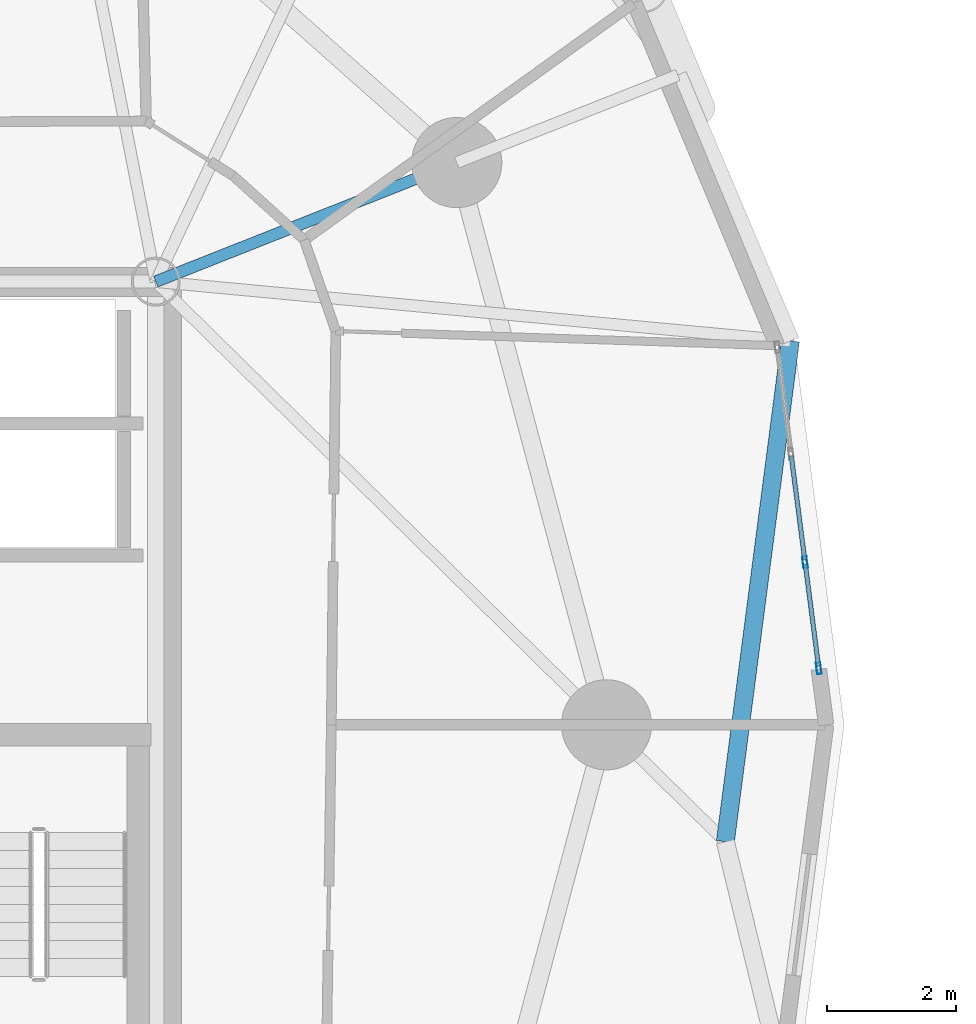
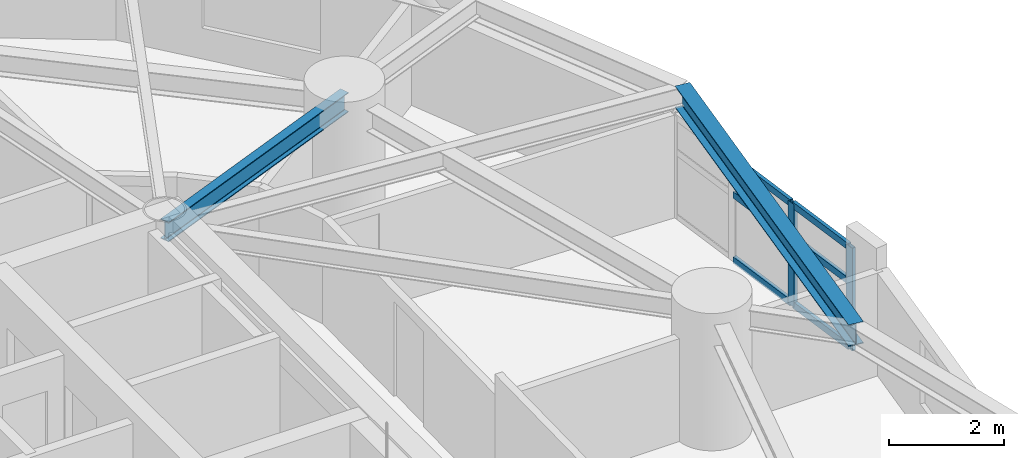
# One storey, part 2 of 17: 8 members, 2 beams, 1 element without a shape of its own.
"""IFC4 building model written with IfcOpenShell, lengths in metres."""

from ifc_helpers import new_model, si_unit, direction, frame, origin, origin_2d, place, context, subcontext, project, spatial, hollow_rectangle, i_section, extrude, material, layer, layer_set, material_profile, profile_set, type_object, element, aggregate, save


model = new_model("IFC4")

# Units and contexts
model_context = context("Model", 3, precision=1e-05, world=origin(), true_north=direction((0.0, 1.0)))
body_context = subcontext(model_context, "Body", "Model", "MODEL_VIEW")
ifc_project = project(units=[si_unit("LENGTHUNIT", "METRE"), si_unit("AREAUNIT", "SQUARE_METRE"), si_unit("VOLUMEUNIT", "CUBIC_METRE"), si_unit("PLANEANGLEUNIT", "RADIAN"), si_unit("MASSUNIT", "GRAM", prefix="KILO")], contexts=[model_context])

# Site, building, storey
site_placement = place(None, origin())
site = spatial("IfcSite", under=ifc_project, at=site_placement, CompositionType="ELEMENT")
building_placement = place(site_placement, origin())
building = spatial("IfcBuilding", under=site, at=building_placement, Name="Cununo Teusaquillo Station Towers", CompositionType="ELEMENT")
storey_placement = place(building_placement, frame((0.0, 0.0, 81.7900390625)))
storey = spatial("IfcBuildingStorey", under=building, at=storey_placement, Name="L25", CompositionType="ELEMENT", Elevation=81.7900390625)

# Beams
ifc_material_1 = material(Name="Steel ASTM A572 Grade 50", Category="steel")
ifc_material_profile_1 = material_profile(ifc_material_1, i_section(OverallWidth=0.180908203125, OverallDepth=0.4169921875, WebThickness=0.010986328125, FlangeThickness=0.018310546875, FilletRadius=0.012939453125, at=origin_2d()), Name="W16X57")
ifc_profile_set_1 = profile_set([ifc_material_profile_1], Name="Steel ASTM A572 Grade 50")
beam_type_1 = type_object("IfcBeamType", Name="BM-RAD-G2", PredefinedType="BEAM", material=ifc_profile_set_1)
beam_1_placement = place(storey_placement, frame((21.675048828125, 31.3798828125, 2.46142578125), z_axis=(0.929864104313, 0.367903176814, 0.0), x_axis=(-0.367903176814, 0.929864104313, 0.0)))
element("IfcBeam", 1, at=beam_1_placement, inside=storey, type_object=beam_type_1, Name="L25 Tower A Radial Girder 02A", PredefinedType="BEAM", context=body_context, shape_type="SweptSolid", body=[
    extrude(i_section(OverallWidth=0.180908203125, OverallDepth=0.4169921875, WebThickness=0.010986328125, FlangeThickness=0.018310546875, FilletRadius=0.012939453125, at=origin_2d()), origin(), (0.0, 0.0, 1.0), 5.02490234375),
])
ifc_material_2 = material(Name="Steel ASTM A572 Grade 50", Category="steel")
ifc_material_profile_2 = material_profile(ifc_material_2, i_section(OverallWidth=0.280029296875, OverallDepth=0.462890625, WebThickness=0.0107421875, FlangeThickness=0.017333984375, FilletRadius=0.013916015625, at=origin_2d()), Name="W18X76")
ifc_profile_set_2 = profile_set([ifc_material_profile_2], Name="Steel ASTM A572 Grade 50")
beam_type_2 = type_object("IfcBeamType", Name="BM-RING-Z2", PredefinedType="SPANDREL", material=ifc_profile_set_2)
beam_2_placement = place(storey_placement, frame((30.51708984375, 22.685791015625, 2.4384765625), z_axis=(0.12888124113, 0.991660035337, 0.0), x_axis=(-0.991660035337, 0.12888124113, 0.0)))
element("IfcBeam", 2, at=beam_2_placement, inside=storey, type_object=beam_type_2, Name="L25 Tower A Spandrel Ring Beam 01", PredefinedType="SPANDREL", context=body_context, shape_type="SweptSolid", body=[
    extrude(i_section(OverallWidth=0.280029296875, OverallDepth=0.462890625, WebThickness=0.0107421875, FlangeThickness=0.017333984375, FilletRadius=0.013916015625, at=origin_2d()), origin(), (0.0, 0.0, 1.0), 7.840576171875),
])

# Curtain wall, members
ifc_material_3 = material(Name="Ceramic-fritted dark low-E double glazing", Category="glass")
ifc_layer = layer(ifc_material_3, 0.179931640625)
ifc_layer_set = layer_set([ifc_layer], Name="Ceramic-fritted dark low-E double glazing")
curtain_wall_type = type_object("IfcCurtainWallType", Name="CW-SYS-04", PredefinedType="USERDEFINED", material=ifc_layer_set)
curtain_wall_placement = place(storey_placement, origin())
curtain_wall = element("IfcCurtainWall", 3, at=curtain_wall_placement, inside=storey, type_object=curtain_wall_type, Name="L25 Tower A Facade Curtain Wall C00", ObjectType="FRITTED GLAZING", PredefinedType="USERDEFINED")
ifc_material_4 = material(Name="Anodised dark bronze aluminium EN AW-6063-T6", Category="aluminium")
ifc_material_profile_3 = material_profile(ifc_material_4, hollow_rectangle(XDim=0.070068359375, YDim=0.179931640625, WallThickness=0.00390625, at=origin_2d()), Name="CW-MULL-70x180")
ifc_profile_set_3 = profile_set([ifc_material_profile_3], Name="Anodised dark bronze aluminium EN AW-6063-T6")
member_type_1 = type_object("IfcMemberType", Name="CWM-180", PredefinedType="MULLION", material=ifc_profile_set_3)
member_1_placement = place(storey_placement, frame((31.754150390625, 27.0263671875, 0.0), z_axis=(0.0, 0.0, 1.0), x_axis=(0.991730764367, 0.128335852387, 0.0)))
member_1 = element("IfcMember", 4, at=member_1_placement, type_object=member_type_1, Name="CW-04 mullion 3", PredefinedType="MULLION", context=body_context, shape_type="SweptSolid", body=[
    extrude(hollow_rectangle(XDim=0.070068359375, YDim=0.179931640625, WallThickness=0.00390625, at=origin_2d()), origin(), (0.0, 0.0, 1.0), 2.178955078125),
])
member_2_placement = place(storey_placement, frame((31.967529296875, 25.377685546875, 0.0), z_axis=(0.0, 0.0, 1.0), x_axis=(0.991730764367, 0.128335852387, 0.0)))
member_2 = element("IfcMember", 5, at=member_2_placement, type_object=member_type_1, Name="CW-04 mullion 4", PredefinedType="MULLION", context=body_context, shape_type="SweptSolid", body=[
    extrude(hollow_rectangle(XDim=0.070068359375, YDim=0.179931640625, WallThickness=0.00390625, at=origin_2d()), origin(), (0.0, 0.0, 1.0), 2.178955078125),
])
ifc_material_5 = material(Name="Anodised dark bronze aluminium EN AW-6063-T6", Category="aluminium")
ifc_material_profile_4 = material_profile(ifc_material_5, hollow_rectangle(XDim=0.070068359375, YDim=0.139892578125, WallThickness=0.00390625, at=origin_2d()), Name="CW-TRAN-70x140")
ifc_profile_set_4 = profile_set([ifc_material_profile_4], Name="Anodised dark bronze aluminium EN AW-6063-T6")
member_type_2 = type_object("IfcMemberType", Name="CWT-140", PredefinedType="USERDEFINED", material=ifc_profile_set_4)
member_3_placement = place(storey_placement, frame((31.540771484375, 28.675048828125, 0.034912109375), z_axis=(0.128261686134, -0.991740359101, 0.0), x_axis=(0.991740359101, 0.128261686134, 0.0)))
member_3 = element("IfcMember", 6, at=member_3_placement, type_object=member_type_2, Name="CW-04 transom 2.1", ObjectType="TRANSOM", PredefinedType="USERDEFINED", context=body_context, shape_type="SweptSolid", body=[
    extrude(hollow_rectangle(XDim=0.070068359375, YDim=0.139892578125, WallThickness=0.00390625, at=origin_2d()), origin(), (0.0, 0.0, 1.0), 1.62744140625),
])
member_4_placement = place(storey_placement, frame((31.540771484375, 28.675048828125, 1.416015625), z_axis=(0.128261686134, -0.991740359101, 0.0), x_axis=(0.991740359101, 0.128261686134, 0.0)))
member_4 = element("IfcMember", 7, at=member_4_placement, type_object=member_type_2, Name="CW-04 transom 2.2", ObjectType="TRANSOM", PredefinedType="USERDEFINED", context=body_context, shape_type="SweptSolid", body=[
    extrude(hollow_rectangle(XDim=0.070068359375, YDim=0.139892578125, WallThickness=0.00390625, at=origin_2d()), origin(), (0.0, 0.0, 1.0), 1.62744140625),
])
member_5_placement = place(storey_placement, frame((31.540771484375, 28.675048828125, 2.14404296875), z_axis=(0.128261686134, -0.991740359101, 0.0), x_axis=(0.991740359101, 0.128261686134, 0.0)))
member_5 = element("IfcMember", 8, at=member_5_placement, type_object=member_type_2, Name="CW-04 transom 2.3", ObjectType="TRANSOM", PredefinedType="USERDEFINED", context=body_context, shape_type="SweptSolid", body=[
    extrude(hollow_rectangle(XDim=0.070068359375, YDim=0.139892578125, WallThickness=0.00390625, at=origin_2d()), origin(), (0.0, 0.0, 1.0), 1.62744140625),
])
member_6_placement = place(storey_placement, frame((31.758544921875, 26.99169921875, 0.034912109375), z_axis=(0.128316698748, -0.991733242774, 0.0), x_axis=(0.991733242774, 0.128316698748, 0.0)))
member_6 = element("IfcMember", 9, at=member_6_placement, type_object=member_type_2, Name="CW-04 transom 3.1", ObjectType="TRANSOM", PredefinedType="USERDEFINED", context=body_context, shape_type="SweptSolid", body=[
    extrude(hollow_rectangle(XDim=0.070068359375, YDim=0.139892578125, WallThickness=0.00390625, at=origin_2d()), origin(), (0.0, 0.0, 1.0), 1.592529296875),
])
member_7_placement = place(storey_placement, frame((31.758544921875, 26.99169921875, 1.416015625), z_axis=(0.128316698748, -0.991733242774, 0.0), x_axis=(0.991733242774, 0.128316698748, 0.0)))
member_7 = element("IfcMember", 10, at=member_7_placement, type_object=member_type_2, Name="CW-04 transom 3.2", ObjectType="TRANSOM", PredefinedType="USERDEFINED", context=body_context, shape_type="SweptSolid", body=[
    extrude(hollow_rectangle(XDim=0.070068359375, YDim=0.139892578125, WallThickness=0.00390625, at=origin_2d()), origin(), (0.0, 0.0, 1.0), 1.592529296875),
])
member_8_placement = place(storey_placement, frame((31.758544921875, 26.99169921875, 2.14404296875), z_axis=(0.128316698748, -0.991733242774, 0.0), x_axis=(0.991733242774, 0.128316698748, 0.0)))
member_8 = element("IfcMember", 11, at=member_8_placement, type_object=member_type_2, Name="CW-04 transom 3.3", ObjectType="TRANSOM", PredefinedType="USERDEFINED", context=body_context, shape_type="SweptSolid", body=[
    extrude(hollow_rectangle(XDim=0.070068359375, YDim=0.139892578125, WallThickness=0.00390625, at=origin_2d()), origin(), (0.0, 0.0, 1.0), 1.592529296875),
])
aggregate(curtain_wall, [member_1, member_2, member_3, member_4, member_5, member_6, member_7, member_8])

save(model, "model.ifc")
